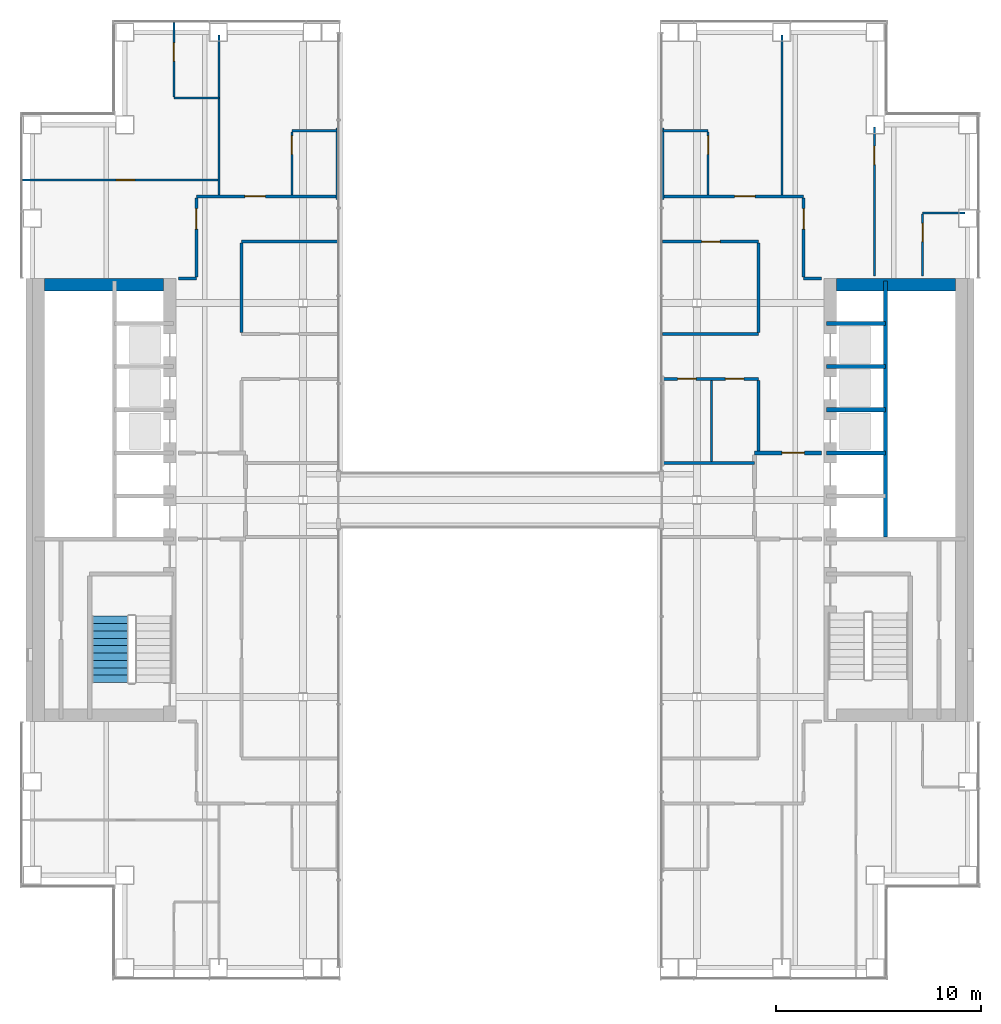
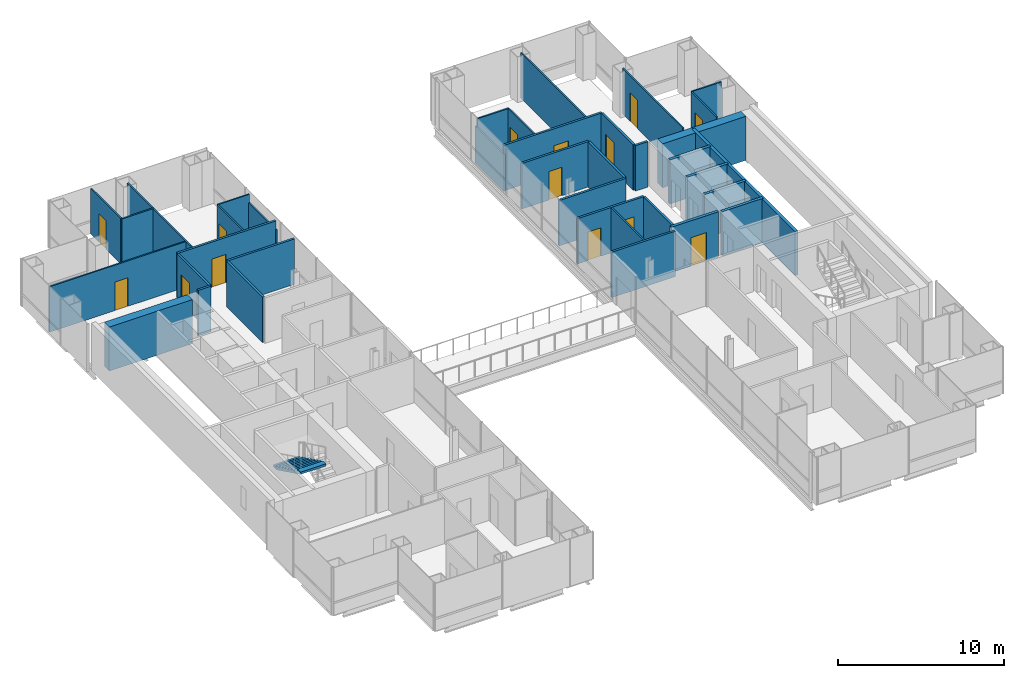
# One storey, part 13 of 16: 37 walls, 14 doors, 1 stair flight, 14 openings, 1 element without a shape of its own.
"""IFC4 building model written with IfcOpenShell, lengths in metres."""

from ifc_helpers import new_model, si_unit, direction, frame, frame_2d, origin, place, context, subcontext, project, spatial, polyline, rectangle, outline, extrude, material, layer, layer_set, type_object, element, fill, aggregate, save


model = new_model("IFC4")

# Units and contexts
model_context = context("Model", 3, precision=1e-05, world=origin(), true_north=direction((0.0, 1.0)))
body_context = subcontext(model_context, "Body", "Model", "MODEL_VIEW")
ifc_project = project(units=[si_unit("LENGTHUNIT", "METRE"), si_unit("AREAUNIT", "SQUARE_METRE"), si_unit("VOLUMEUNIT", "CUBIC_METRE"), si_unit("PLANEANGLEUNIT", "RADIAN"), si_unit("MASSUNIT", "GRAM", prefix="KILO")], contexts=[model_context])

# Site, building, storey
site_placement = place(None, origin())
site = spatial("IfcSite", under=ifc_project, at=site_placement, CompositionType="ELEMENT")
building_placement = place(site_placement, origin())
building = spatial("IfcBuilding", under=site, at=building_placement, Name="Cobrizo Arcos Hotel Tower", CompositionType="ELEMENT")
storey_placement = place(building_placement, frame((0.0, 0.0, 127.5)))
storey = spatial("IfcBuildingStorey", under=building, at=storey_placement, Name="L32", CompositionType="ELEMENT", Elevation=127.5)

# Wall
ifc_material_1 = material(Name="Gypsum board partition")
ifc_layer_1 = layer(ifc_material_1, 0.14990234375)
ifc_layer_set_1 = layer_set([ifc_layer_1], Name="Corridor wall EI 60 150")
wall_type_1 = type_object("IfcWallType", Name="Corridor wall EI 60 150", PredefinedType="PARTITIONING", material=ifc_layer_set_1)
wall_1_placement = place(storey_placement, frame((7.949951171875, 1.800048828125, 0.0), z_axis=(0.0, 0.0, 1.0), x_axis=(1.0, 0.0, 0.0)))
element("IfcWall", 1, at=wall_1_placement, inside=storey, type_object=wall_type_1, Name="Partition 023", PredefinedType="PARTITIONING", context=body_context, shape_type="SweptSolid", body=[
    extrude(rectangle(XDim=4.449951171875, YDim=0.14990234375, at=frame_2d((2.22509765625, 0.0))), origin(), (0.0, 0.0, 1.0), 3.35009765625),
])

# Wall, openings, doors
wall_2_placement = place(storey_placement, frame((7.949951171875, 5.89990234375, 0.0), z_axis=(0.0, 0.0, 1.0), x_axis=(1.0, 0.0, 0.0)))
wall_2 = element("IfcWall", 2, at=wall_2_placement, inside=storey, type_object=wall_type_1, Name="Partition 031", PredefinedType="PARTITIONING", context=body_context, shape_type="SweptSolid", body=[
    extrude(rectangle(XDim=4.650146484375, YDim=0.14990234375, at=frame_2d((2.3251953125, 0.0))), origin(), (0.0, 0.0, 1.0), 3.35009765625),
])
opening_1_placement = place(wall_2_placement, frame((0.712890625, 0.0, 0.0)))
opening_1 = element("IfcOpeningElement", 3, at=opening_1_placement, cuts=wall_2, Name="Opening ED-10", PredefinedType="OPENING", context=body_context, shape_type="SweptSolid", body=[
    extrude(rectangle(XDim=0.89990234375, YDim=2.10009765625, at=frame_2d((0.449951171875, 1.050048828125))), frame((0.0, 0.0869140625, 0.0), z_axis=(0.0, -1.0, 0.0), x_axis=(1.0, 0.0, 0.0)), (0.0, 0.0, 1.0), 0.173828125),
])
opening_2_placement = place(wall_2_placement, frame((3.037109375, 0.0, 0.0)))
opening_2 = element("IfcOpeningElement", 4, at=opening_2_placement, cuts=wall_2, Name="Opening ED-11", PredefinedType="OPENING", context=body_context, shape_type="SweptSolid", body=[
    extrude(rectangle(XDim=0.89990234375, YDim=2.10009765625, at=frame_2d((0.449951171875, 1.050048828125))), frame((0.0, 0.0869140625, 0.0), z_axis=(0.0, -1.0, 0.0), x_axis=(1.0, 0.0, 0.0)), (0.0, 0.0, 1.0), 0.173828125),
])
ifc_material_2 = material(Name="Timber door leaf", Category="wood")
door_type_1 = type_object("IfcDoorType", Name="En-suite door 900x2100", OperationType="SINGLE_SWING_LEFT", PredefinedType="DOOR", material=ifc_material_2)
door_1_placement = place(opening_1_placement, origin())
door_1 = element("IfcDoor", 5, at=door_1_placement, inside=storey, type_object=door_type_1, Name="Door ED-10", OperationType="SINGLE_SWING_LEFT", OverallHeight=2.10009765625, OverallWidth=0.89990234375, PredefinedType="DOOR", context=body_context, shape_type="SweptSolid", body=[
    extrude(rectangle(XDim=0.89990234375, YDim=2.10009765625, at=frame_2d((0.449951171875, 1.050048828125))), frame((0.0, 0.02490234375, 0.0), z_axis=(0.0, -1.0, 0.0), x_axis=(1.0, 0.0, 0.0)), (0.0, 0.0, 1.0), 0.050048828125),
])
fill(opening_1, door_1)
door_2_placement = place(opening_2_placement, origin())
door_2 = element("IfcDoor", 6, at=door_2_placement, inside=storey, type_object=door_type_1, Name="Door ED-11", OperationType="SINGLE_SWING_RIGHT", OverallHeight=2.10009765625, OverallWidth=0.89990234375, PredefinedType="DOOR", context=body_context, shape_type="SweptSolid", body=[
    extrude(rectangle(XDim=0.89990234375, YDim=2.10009765625, at=frame_2d((0.449951171875, 1.050048828125))), frame((0.0, 0.02490234375, 0.0), z_axis=(0.0, -1.0, 0.0), x_axis=(1.0, 0.0, 0.0)), (0.0, 0.0, 1.0), 0.050048828125),
])
fill(opening_2, door_2)

# Walls
wall_3_placement = place(storey_placement, frame((7.919921875, 8.10009765625, 0.0), z_axis=(0.0, 0.0, 1.0), x_axis=(1.0, 0.0, 0.0)))
element("IfcWall", 7, at=wall_3_placement, inside=storey, type_object=wall_type_1, Name="Partition 035", PredefinedType="PARTITIONING", context=body_context, shape_type="SweptSolid", body=[
    extrude(rectangle(XDim=4.68017578125, YDim=0.14990234375, at=frame_2d((2.340087890625, 0.0))), origin(), (0.0, 0.0, 1.0), 3.35009765625),
])
for number, where, z_axis, x_axis, name in (
    (8, (-15.679931640625, 10.800048828125, 0.0), (0.0, 0.0, 1.0), (1.0, 0.0, 0.0), "Partition 038"),
    (9, (14.800048828125, 10.800048828125, 0.0), (0.0, 0.0, 1.0), (1.0, 0.0, 0.0), "Partition 039"),
):
    element("IfcWall", number, at=place(storey_placement, frame(where, z_axis=z_axis, x_axis=x_axis)), inside=storey, type_object=wall_type_1, Name=name, PredefinedType="PARTITIONING", context=body_context, shape_type="SweptSolid", body=[
        extrude(rectangle(XDim=0.8798828125, YDim=0.14990234375, at=frame_2d((0.43994140625, 0.0))), origin(), (0.0, 0.0, 1.0), 3.35009765625),
    ])
wall_4_placement = place(storey_placement, frame((-12.60009765625, 12.60009765625, 0.0), z_axis=(0.0, 0.0, 1.0), x_axis=(1.0, 0.0, 0.0)))
element("IfcWall", 10, at=wall_4_placement, inside=storey, type_object=wall_type_1, Name="Partition 040", PredefinedType="PARTITIONING", context=body_context, shape_type="SweptSolid", body=[
    extrude(rectangle(XDim=4.68017578125, YDim=0.14990234375, at=frame_2d((2.340087890625, 0.0))), origin(), (0.0, 0.0, 1.0), 3.35009765625),
])

# Wall, opening, door
wall_5_placement = place(storey_placement, frame((7.919921875, 12.60009765625, 0.0), z_axis=(0.0, 0.0, 1.0), x_axis=(1.0, 0.0, 0.0)))
wall_5 = element("IfcWall", 11, at=wall_5_placement, inside=storey, type_object=wall_type_1, Name="Partition 041", PredefinedType="PARTITIONING", context=body_context, shape_type="SweptSolid", body=[
    extrude(rectangle(XDim=4.68017578125, YDim=0.14990234375, at=frame_2d((2.340087890625, 0.0))), origin(), (0.0, 0.0, 1.0), 3.35009765625),
])
opening_3_placement = place(wall_5_placement, frame((1.905029296875, 0.0, 0.0)))
opening_3 = element("IfcOpeningElement", 12, at=opening_3_placement, cuts=wall_5, Name="Opening RD-07", PredefinedType="OPENING", context=body_context, shape_type="SweptSolid", body=[
    extrude(rectangle(XDim=0.89990234375, YDim=2.10009765625, at=frame_2d((0.449951171875, 1.050048828125))), frame((0.0, 0.0869140625, 0.0), z_axis=(0.0, -1.0, 0.0), x_axis=(1.0, 0.0, 0.0)), (0.0, 0.0, 1.0), 0.173828125),
])
door_type_2 = type_object("IfcDoorType", Name="Room door FD30 900x2100", OperationType="SINGLE_SWING_LEFT", PredefinedType="DOOR", material=ifc_material_2)
door_3_placement = place(opening_3_placement, origin())
door_3 = element("IfcDoor", 13, at=door_3_placement, inside=storey, type_object=door_type_2, Name="Door RD-07", OperationType="SINGLE_SWING_RIGHT", OverallHeight=2.10009765625, OverallWidth=0.89990234375, PredefinedType="DOOR", context=body_context, shape_type="SweptSolid", body=[
    extrude(rectangle(XDim=0.89990234375, YDim=2.10009765625, at=frame_2d((0.449951171875, 1.050048828125))), frame((0.0, 0.02490234375, 0.0), z_axis=(0.0, -1.0, 0.0), x_axis=(1.0, 0.0, 0.0)), (0.0, 0.0, 1.0), 0.050048828125),
])
fill(opening_3, door_3)

wall_6_placement = place(storey_placement, frame((-14.800048828125, 14.800048828125, 0.0), z_axis=(0.0, 0.0, 1.0), x_axis=(1.0, 0.0, 0.0)))
wall_6 = element("IfcWall", 14, at=wall_6_placement, inside=storey, type_object=wall_type_1, Name="Partition 043", PredefinedType="PARTITIONING", context=body_context, shape_type="SweptSolid", body=[
    extrude(rectangle(XDim=6.85009765625, YDim=0.14990234375, at=frame_2d((3.425048828125, 0.0))), origin(), (0.0, 0.0, 1.0), 3.35009765625),
])
opening_4_placement = place(wall_6_placement, frame((2.363037109375, 0.0, 0.0)))
opening_4 = element("IfcOpeningElement", 15, at=opening_4_placement, cuts=wall_6, Name="Opening GD-02", PredefinedType="OPENING", context=body_context, shape_type="SweptSolid", body=[
    extrude(rectangle(XDim=1.0, YDim=2.10009765625, at=frame_2d((0.5, 1.050048828125))), frame((0.0, 0.0869140625, 0.0), z_axis=(0.0, -1.0, 0.0), x_axis=(1.0, 0.0, 0.0)), (0.0, 0.0, 1.0), 0.173828125),
])
door_type_3 = type_object("IfcDoorType", Name="Guest room door FD30S 1000x2100", OperationType="SINGLE_SWING_LEFT", PredefinedType="DOOR", material=ifc_material_2)
door_4_placement = place(opening_4_placement, origin())
door_4 = element("IfcDoor", 16, at=door_4_placement, inside=storey, type_object=door_type_3, Name="Door GD-02", OperationType="SINGLE_SWING_RIGHT", OverallHeight=2.10009765625, OverallWidth=1.0, PredefinedType="DOOR", context=body_context, shape_type="SweptSolid", body=[
    extrude(rectangle(XDim=1.0, YDim=2.10009765625, at=frame_2d((0.5, 1.050048828125))), frame((0.0, 0.02490234375, 0.0), z_axis=(0.0, -1.0, 0.0), x_axis=(1.0, 0.0, 0.0)), (0.0, 0.0, 1.0), 0.050048828125),
])
fill(opening_4, door_4)

wall_7_placement = place(storey_placement, frame((7.949951171875, 14.800048828125, 0.0), z_axis=(0.0, 0.0, 1.0), x_axis=(1.0, 0.0, 0.0)))
wall_7 = element("IfcWall", 17, at=wall_7_placement, inside=storey, type_object=wall_type_1, Name="Partition 044", PredefinedType="PARTITIONING", context=body_context, shape_type="SweptSolid", body=[
    extrude(rectangle(XDim=6.85009765625, YDim=0.14990234375, at=frame_2d((3.425048828125, 0.0))), origin(), (0.0, 0.0, 1.0), 3.35009765625),
])
opening_5_placement = place(wall_7_placement, frame((3.487060546875, 0.0, 0.0)))
opening_5 = element("IfcOpeningElement", 18, at=opening_5_placement, cuts=wall_7, Name="Opening GD-01", PredefinedType="OPENING", context=body_context, shape_type="SweptSolid", body=[
    extrude(rectangle(XDim=1.0, YDim=2.10009765625, at=frame_2d((0.5, 1.050048828125))), frame((0.0, 0.0869140625, 0.0), z_axis=(0.0, -1.0, 0.0), x_axis=(1.0, 0.0, 0.0)), (0.0, 0.0, 1.0), 0.173828125),
])
door_5_placement = place(opening_5_placement, origin())
door_5 = element("IfcDoor", 19, at=door_5_placement, inside=storey, type_object=door_type_3, Name="Door GD-01", OperationType="SINGLE_SWING_RIGHT", OverallHeight=2.10009765625, OverallWidth=1.0, PredefinedType="DOOR", context=body_context, shape_type="SweptSolid", body=[
    extrude(rectangle(XDim=1.0, YDim=2.10009765625, at=frame_2d((0.5, 1.050048828125))), frame((0.0, 0.02490234375, 0.0), z_axis=(0.0, -1.0, 0.0), x_axis=(1.0, 0.0, 0.0)), (0.0, 0.0, 1.0), 0.050048828125),
])
fill(opening_5, door_5)

wall_8_placement = place(storey_placement, frame((-14.800048828125, 10.875, 0.0), z_axis=(0.0, 0.0, 1.0), x_axis=(0.0, 1.0, 0.0)))
wall_8 = element("IfcWall", 20, at=wall_8_placement, inside=storey, type_object=wall_type_1, Name="Partition 055", PredefinedType="PARTITIONING", context=body_context, shape_type="SweptSolid", body=[
    extrude(rectangle(XDim=3.85009765625, YDim=0.14990234375, at=frame_2d((1.925048828125, 0.0))), origin(), (0.0, 0.0, 1.0), 3.35009765625),
])
opening_6_placement = place(wall_8_placement, frame((2.324951171875, 0.0, 0.0)))
opening_6 = element("IfcOpeningElement", 21, at=opening_6_placement, cuts=wall_8, Name="Opening GD-06", PredefinedType="OPENING", context=body_context, shape_type="SweptSolid", body=[
    extrude(rectangle(XDim=1.0, YDim=2.10009765625, at=frame_2d((0.5, 1.050048828125))), frame((0.0, 0.0869140625, 0.0), z_axis=(0.0, -1.0, 0.0), x_axis=(1.0, 0.0, 0.0)), (0.0, 0.0, 1.0), 0.173828125),
])
door_6_placement = place(opening_6_placement, origin())
door_6 = element("IfcDoor", 22, at=door_6_placement, inside=storey, type_object=door_type_3, Name="Door GD-06", OperationType="SINGLE_SWING_LEFT", OverallHeight=2.10009765625, OverallWidth=1.0, PredefinedType="DOOR", context=body_context, shape_type="SweptSolid", body=[
    extrude(rectangle(XDim=1.0, YDim=2.10009765625, at=frame_2d((0.5, 1.050048828125))), frame((0.0, 0.02490234375, 0.0), z_axis=(0.0, -1.0, 0.0), x_axis=(1.0, 0.0, 0.0)), (0.0, 0.0, 1.0), 0.050048828125),
])
fill(opening_6, door_6)

# Walls
wall_9_placement = place(storey_placement, frame((-12.60009765625, 8.175048828125, 0.0), z_axis=(0.0, 0.0, 1.0), x_axis=(0.0, 1.0, 0.0)))
element("IfcWall", 23, at=wall_9_placement, inside=storey, type_object=wall_type_1, Name="Partition 060", PredefinedType="PARTITIONING", context=body_context, shape_type="SweptSolid", body=[
    extrude(rectangle(XDim=4.349853515625, YDim=0.14990234375, at=frame_2d((2.1748046875, 0.0))), origin(), (0.0, 0.0, 1.0), 3.35009765625),
])
wall_10_placement = place(storey_placement, frame((12.60009765625, 2.39990234375, 0.0), z_axis=(0.0, 0.0, 1.0), x_axis=(0.0, 1.0, 0.0)))
element("IfcWall", 24, at=wall_10_placement, inside=storey, type_object=wall_type_1, Name="Partition 074", PredefinedType="PARTITIONING", context=body_context, shape_type="SweptSolid", body=[
    extrude(rectangle(XDim=3.425048828125, YDim=0.14990234375, at=frame_2d((1.71240234375, 0.0))), origin(), (0.0, 0.0, 1.0), 3.35009765625),
])
wall_11_placement = place(storey_placement, frame((12.60009765625, 8.175048828125, 0.0), z_axis=(0.0, 0.0, 1.0), x_axis=(0.0, 1.0, 0.0)))
element("IfcWall", 25, at=wall_11_placement, inside=storey, type_object=wall_type_1, Name="Partition 075", PredefinedType="PARTITIONING", context=body_context, shape_type="SweptSolid", body=[
    extrude(rectangle(XDim=4.349853515625, YDim=0.14990234375, at=frame_2d((2.1748046875, 0.0))), origin(), (0.0, 0.0, 1.0), 3.35009765625),
])

# Wall, opening, door
wall_12_placement = place(storey_placement, frame((14.800048828125, 10.875, 0.0), z_axis=(0.0, 0.0, 1.0), x_axis=(0.0, 1.0, 0.0)))
wall_12 = element("IfcWall", 26, at=wall_12_placement, inside=storey, type_object=wall_type_1, Name="Partition 079", PredefinedType="PARTITIONING", context=body_context, shape_type="SweptSolid", body=[
    extrude(rectangle(XDim=3.85009765625, YDim=0.14990234375, at=frame_2d((1.925048828125, 0.0))), origin(), (0.0, 0.0, 1.0), 3.35009765625),
])
opening_7_placement = place(wall_12_placement, frame((2.324951171875, 0.0, 0.0)))
opening_7 = element("IfcOpeningElement", 27, at=opening_7_placement, cuts=wall_12, Name="Opening GD-08", PredefinedType="OPENING", context=body_context, shape_type="SweptSolid", body=[
    extrude(rectangle(XDim=1.0, YDim=2.10009765625, at=frame_2d((0.5, 1.050048828125))), frame((0.0, 0.0869140625, 0.0), z_axis=(0.0, -1.0, 0.0), x_axis=(1.0, 0.0, 0.0)), (0.0, 0.0, 1.0), 0.173828125),
])
door_7_placement = place(opening_7_placement, origin())
door_7 = element("IfcDoor", 28, at=door_7_placement, inside=storey, type_object=door_type_3, Name="Door GD-08", OperationType="SINGLE_SWING_RIGHT", OverallHeight=2.10009765625, OverallWidth=1.0, PredefinedType="DOOR", context=body_context, shape_type="SweptSolid", body=[
    extrude(rectangle(XDim=1.0, YDim=2.10009765625, at=frame_2d((0.5, 1.050048828125))), frame((0.0, 0.02490234375, 0.0), z_axis=(0.0, -1.0, 0.0), x_axis=(1.0, 0.0, 0.0)), (0.0, 0.0, 1.0), 0.050048828125),
])
fill(opening_7, door_7)

# Wall
ifc_layer_2 = layer(ifc_material_1, 0.10009765625)
ifc_layer_set_2 = layer_set([ifc_layer_2], Name="Partition EI 30 100")
wall_type_2 = type_object("IfcWallType", Name="Partition EI 30 100", PredefinedType="PARTITIONING", material=ifc_layer_set_2)
wall_13_placement = place(storey_placement, frame((20.60009765625, 14.0, 0.0), z_axis=(0.0, 0.0, 1.0), x_axis=(1.0, 0.0, 0.0)))
element("IfcWall", 29, at=wall_13_placement, inside=storey, type_object=wall_type_2, Name="Partition 042", PredefinedType="PARTITIONING", context=body_context, shape_type="SweptSolid", body=[
    extrude(rectangle(XDim=2.079833984375, YDim=0.10009765625, at=frame_2d((1.0400390625, 0.0))), origin(), (0.0, 0.0, 1.0), 3.35009765625),
])

# Wall, opening, door
wall_14_placement = place(storey_placement, frame((-23.280029296875, 15.60009765625, 0.0), z_axis=(0.0, 0.0, 1.0), x_axis=(1.0, 0.0, 0.0)))
wall_14 = element("IfcWall", 30, at=wall_14_placement, inside=storey, type_object=wall_type_2, Name="Partition 045", PredefinedType="PARTITIONING", context=body_context, shape_type="SweptSolid", body=[
    extrude(rectangle(XDim=9.580078125, YDim=0.10009765625, at=frame_2d((4.7900390625, 0.0))), origin(), (0.0, 0.0, 1.0), 3.35009765625),
])
opening_8_placement = place(wall_14_placement, frame((4.568115234375, 0.0, 0.0)))
opening_8 = element("IfcOpeningElement", 31, at=opening_8_placement, cuts=wall_14, Name="Opening RD-03", PredefinedType="OPENING", context=body_context, shape_type="SweptSolid", body=[
    extrude(rectangle(XDim=0.89990234375, YDim=2.10009765625, at=frame_2d((0.449951171875, 1.050048828125))), frame((0.0, 0.06201171875, 0.0), z_axis=(0.0, -1.0, 0.0), x_axis=(1.0, 0.0, 0.0)), (0.0, 0.0, 1.0), 0.1240234375),
])
door_8_placement = place(opening_8_placement, origin())
door_8 = element("IfcDoor", 32, at=door_8_placement, inside=storey, type_object=door_type_2, Name="Door RD-03", OperationType="SINGLE_SWING_RIGHT", OverallHeight=2.10009765625, OverallWidth=0.89990234375, PredefinedType="DOOR", context=body_context, shape_type="SweptSolid", body=[
    extrude(rectangle(XDim=0.89990234375, YDim=2.10009765625, at=frame_2d((0.449951171875, 1.050048828125))), frame((0.0, 0.02490234375, 0.0), z_axis=(0.0, -1.0, 0.0), x_axis=(1.0, 0.0, 0.0)), (0.0, 0.0, 1.0), 0.050048828125),
])
fill(opening_8, door_8)

# Walls
for number, where, z_axis, x_axis, name in (
    (33, (-10.14990234375, 18.0, 0.0), (0.0, 0.0, 1.0), (1.0, 0.0, 0.0), "Partition 046"),
    (34, (7.949951171875, 18.0, 0.0), (0.0, 0.0, 1.0), (1.0, 0.0, 0.0), "Partition 047"),
    (35, (-15.89990234375, 19.60009765625, 0.0), (0.0, 0.0, 1.0), (1.0, 0.0, 0.0), "Partition 048"),
):
    element("IfcWall", number, at=place(storey_placement, frame(where, z_axis=z_axis, x_axis=x_axis)), inside=storey, type_object=wall_type_2, Name=name, PredefinedType="PARTITIONING", context=body_context, shape_type="SweptSolid", body=[
        extrude(rectangle(XDim=2.199951171875, YDim=0.10009765625, at=frame_2d((1.10009765625, 0.0))), origin(), (0.0, 0.0, 1.0), 3.35009765625),
    ])

# Wall, opening, door
wall_15_placement = place(storey_placement, frame((-15.89990234375, 19.64990234375, 0.0), z_axis=(0.0, 0.0, 1.0), x_axis=(0.0, 1.0, 0.0)))
wall_15 = element("IfcWall", 36, at=wall_15_placement, inside=storey, type_object=wall_type_2, Name="Partition 053", PredefinedType="PARTITIONING", context=body_context, shape_type="SweptSolid", body=[
    extrude(rectangle(XDim=3.630126953125, YDim=0.10009765625, at=frame_2d((1.81494140625, 0.0))), origin(), (0.0, 0.0, 1.0), 3.35009765625),
])
opening_9_placement = place(wall_15_placement, frame((1.739990234375, 0.0, 0.0)))
opening_9 = element("IfcOpeningElement", 37, at=opening_9_placement, cuts=wall_15, Name="Opening ED-07", PredefinedType="OPENING", context=body_context, shape_type="SweptSolid", body=[
    extrude(rectangle(XDim=0.89990234375, YDim=2.10009765625, at=frame_2d((0.449951171875, 1.050048828125))), frame((0.0, 0.06201171875, 0.0), z_axis=(0.0, -1.0, 0.0), x_axis=(1.0, 0.0, 0.0)), (0.0, 0.0, 1.0), 0.1240234375),
])
door_9_placement = place(opening_9_placement, origin())
door_9 = element("IfcDoor", 38, at=door_9_placement, inside=storey, type_object=door_type_1, Name="Door ED-07", OperationType="SINGLE_SWING_RIGHT", OverallHeight=2.10009765625, OverallWidth=0.89990234375, PredefinedType="DOOR", context=body_context, shape_type="SweptSolid", body=[
    extrude(rectangle(XDim=0.89990234375, YDim=2.10009765625, at=frame_2d((0.449951171875, 1.050048828125))), frame((0.0, 0.02490234375, 0.0), z_axis=(0.0, -1.0, 0.0), x_axis=(1.0, 0.0, 0.0)), (0.0, 0.0, 1.0), 0.050048828125),
])
fill(opening_9, door_9)

# Wall
wall_16_placement = place(storey_placement, frame((-13.699951171875, 14.875, 0.0), z_axis=(0.0, 0.0, 1.0), x_axis=(0.0, 1.0, 0.0)))
element("IfcWall", 39, at=wall_16_placement, inside=storey, type_object=wall_type_2, Name="Partition 057", PredefinedType="PARTITIONING", context=body_context, shape_type="SweptSolid", body=[
    extrude(rectangle(XDim=7.804931640625, YDim=0.10009765625, at=frame_2d((3.90234375, 0.0))), origin(), (0.0, 0.0, 1.0), 3.35009765625),
])

# Wall, opening, door
wall_17_placement = place(storey_placement, frame((-10.14990234375, 14.875, 0.0), z_axis=(0.0, 0.0, 1.0), x_axis=(0.0, 1.0, 0.0)))
wall_17 = element("IfcWall", 40, at=wall_17_placement, inside=storey, type_object=wall_type_2, Name="Partition 063", PredefinedType="PARTITIONING", context=body_context, shape_type="SweptSolid", body=[
    extrude(rectangle(XDim=3.074951171875, YDim=0.10009765625, at=frame_2d((1.53759765625, 0.0))), origin(), (0.0, 0.0, 1.0), 3.35009765625),
])
opening_10_placement = place(wall_17_placement, frame((1.970947265625, 0.0, 0.0)))
opening_10 = element("IfcOpeningElement", 41, at=opening_10_placement, cuts=wall_17, Name="Opening ED-03", PredefinedType="OPENING", context=body_context, shape_type="SweptSolid", body=[
    extrude(rectangle(XDim=0.89990234375, YDim=2.10009765625, at=frame_2d((0.449951171875, 1.050048828125))), frame((0.0, 0.06201171875, 0.0), z_axis=(0.0, -1.0, 0.0), x_axis=(1.0, 0.0, 0.0)), (0.0, 0.0, 1.0), 0.1240234375),
])
door_10_placement = place(opening_10_placement, origin())
door_10 = element("IfcDoor", 42, at=door_10_placement, inside=storey, type_object=door_type_1, Name="Door ED-03", OperationType="SINGLE_SWING_LEFT", OverallHeight=2.10009765625, OverallWidth=0.89990234375, PredefinedType="DOOR", context=body_context, shape_type="SweptSolid", body=[
    extrude(rectangle(XDim=0.89990234375, YDim=2.10009765625, at=frame_2d((0.449951171875, 1.050048828125))), frame((0.0, 0.02490234375, 0.0), z_axis=(0.0, -1.0, 0.0), x_axis=(1.0, 0.0, 0.0)), (0.0, 0.0, 1.0), 0.050048828125),
])
fill(opening_10, door_10)

# Walls
for number, where, z_axis, x_axis, name in (
    (43, (-7.949951171875, 14.659912109375, 0.0), (0.0, 0.0, 1.0), (0.0, 1.0, 0.0), "Partition 065"),
    (44, (7.949951171875, 14.659912109375, 0.0), (0.0, 0.0, 1.0), (0.0, 1.0, 0.0), "Partition 068"),
):
    element("IfcWall", number, at=place(storey_placement, frame(where, z_axis=z_axis, x_axis=x_axis)), inside=storey, type_object=wall_type_2, Name=name, PredefinedType="PARTITIONING", context=body_context, shape_type="SweptSolid", body=[
        extrude(rectangle(XDim=3.47998046875, YDim=0.10009765625, at=frame_2d((1.739990234375, 0.0))), origin(), (0.0, 0.0, 1.0), 2.73291015625),
    ])

# Wall, opening, door
wall_18_placement = place(storey_placement, frame((10.14990234375, 14.875, 0.0), z_axis=(0.0, 0.0, 1.0), x_axis=(0.0, 1.0, 0.0)))
wall_18 = element("IfcWall", 45, at=wall_18_placement, inside=storey, type_object=wall_type_2, Name="Partition 070", PredefinedType="PARTITIONING", context=body_context, shape_type="SweptSolid", body=[
    extrude(rectangle(XDim=3.074951171875, YDim=0.10009765625, at=frame_2d((1.53759765625, 0.0))), origin(), (0.0, 0.0, 1.0), 3.35009765625),
])
opening_11_placement = place(wall_18_placement, frame((1.970947265625, 0.0, 0.0)))
opening_11 = element("IfcOpeningElement", 46, at=opening_11_placement, cuts=wall_18, Name="Opening ED-02", PredefinedType="OPENING", context=body_context, shape_type="SweptSolid", body=[
    extrude(rectangle(XDim=0.89990234375, YDim=2.10009765625, at=frame_2d((0.449951171875, 1.050048828125))), frame((0.0, 0.06201171875, 0.0), z_axis=(0.0, -1.0, 0.0), x_axis=(1.0, 0.0, 0.0)), (0.0, 0.0, 1.0), 0.1240234375),
])
door_11_placement = place(opening_11_placement, origin())
door_11 = element("IfcDoor", 47, at=door_11_placement, inside=storey, type_object=door_type_1, Name="Door ED-02", OperationType="SINGLE_SWING_RIGHT", OverallHeight=2.10009765625, OverallWidth=0.89990234375, PredefinedType="DOOR", context=body_context, shape_type="SweptSolid", body=[
    extrude(rectangle(XDim=0.89990234375, YDim=2.10009765625, at=frame_2d((0.449951171875, 1.050048828125))), frame((0.0, 0.02490234375, 0.0), z_axis=(0.0, -1.0, 0.0), x_axis=(1.0, 0.0, 0.0)), (0.0, 0.0, 1.0), 0.050048828125),
])
fill(opening_11, door_11)

# Walls
wall_19_placement = place(storey_placement, frame((10.300048828125, 1.875, 0.0), z_axis=(0.0, 0.0, 1.0), x_axis=(0.0, 1.0, 0.0)))
element("IfcWall", 48, at=wall_19_placement, inside=storey, type_object=wall_type_2, Name="Partition 071", PredefinedType="PARTITIONING", context=body_context, shape_type="SweptSolid", body=[
    extrude(rectangle(XDim=3.949951171875, YDim=0.10009765625, at=frame_2d((1.97509765625, 0.0))), origin(), (0.0, 0.0, 1.0), 3.35009765625),
])
wall_20_placement = place(storey_placement, frame((13.75, 14.875, 0.0), z_axis=(0.0, 0.0, 1.0), x_axis=(0.0, 1.0, 0.0)))
element("IfcWall", 49, at=wall_20_placement, inside=storey, type_object=wall_type_2, Name="Partition 077", PredefinedType="PARTITIONING", context=body_context, shape_type="SweptSolid", body=[
    extrude(rectangle(XDim=7.804931640625, YDim=0.10009765625, at=frame_2d((3.90234375, 0.0))), origin(), (0.0, 0.0, 1.0), 3.35009765625),
])

# Wall, opening, door
wall_21_placement = place(storey_placement, frame((18.25, 10.919921875, 0.0), z_axis=(0.0, 0.0, 1.0), x_axis=(0.0, 1.0, 0.0)))
wall_21 = element("IfcWall", 50, at=wall_21_placement, inside=storey, type_object=wall_type_2, Name="Partition 081", PredefinedType="PARTITIONING", context=body_context, shape_type="SweptSolid", body=[
    extrude(rectangle(XDim=7.27099609375, YDim=0.10009765625, at=frame_2d((3.635498046875, 0.0))), origin(), (0.0, 0.0, 1.0), 3.35009765625),
])
opening_12_placement = place(wall_21_placement, frame((5.429931640625, 0.0, 0.0)))
opening_12 = element("IfcOpeningElement", 51, at=opening_12_placement, cuts=wall_21, Name="Opening RD-05", PredefinedType="OPENING", context=body_context, shape_type="SweptSolid", body=[
    extrude(rectangle(XDim=0.89990234375, YDim=2.10009765625, at=frame_2d((0.449951171875, 1.050048828125))), frame((0.0, 0.06201171875, 0.0), z_axis=(0.0, -1.0, 0.0), x_axis=(1.0, 0.0, 0.0)), (0.0, 0.0, 1.0), 0.1240234375),
])
door_12_placement = place(opening_12_placement, origin())
door_12 = element("IfcDoor", 52, at=door_12_placement, inside=storey, type_object=door_type_2, Name="Door RD-05", OperationType="SINGLE_SWING_LEFT", OverallHeight=2.10009765625, OverallWidth=0.89990234375, PredefinedType="DOOR", context=body_context, shape_type="SweptSolid", body=[
    extrude(rectangle(XDim=0.89990234375, YDim=2.10009765625, at=frame_2d((0.449951171875, 1.050048828125))), frame((0.0, 0.02490234375, 0.0), z_axis=(0.0, -1.0, 0.0), x_axis=(1.0, 0.0, 0.0)), (0.0, 0.0, 1.0), 0.050048828125),
])
fill(opening_12, door_12)

wall_22_placement = place(storey_placement, frame((20.60009765625, 10.919921875, 0.0), z_axis=(0.0, 0.0, 1.0), x_axis=(0.0, 1.0, 0.0)))
wall_22 = element("IfcWall", 53, at=wall_22_placement, inside=storey, type_object=wall_type_2, Name="Partition 085", PredefinedType="PARTITIONING", context=body_context, shape_type="SweptSolid", body=[
    extrude(rectangle(XDim=3.030029296875, YDim=0.10009765625, at=frame_2d((1.51513671875, 0.0))), origin(), (0.0, 0.0, 1.0), 3.35009765625),
])
opening_13_placement = place(wall_22_placement, frame((1.669921875, 0.0, 0.0)))
opening_13 = element("IfcOpeningElement", 54, at=opening_13_placement, cuts=wall_22, Name="Opening ED-09", PredefinedType="OPENING", context=body_context, shape_type="SweptSolid", body=[
    extrude(rectangle(XDim=0.89990234375, YDim=2.10009765625, at=frame_2d((0.449951171875, 1.050048828125))), frame((0.0, 0.06201171875, 0.0), z_axis=(0.0, -1.0, 0.0), x_axis=(1.0, 0.0, 0.0)), (0.0, 0.0, 1.0), 0.1240234375),
])
door_13_placement = place(opening_13_placement, origin())
door_13 = element("IfcDoor", 55, at=door_13_placement, inside=storey, type_object=door_type_1, Name="Door ED-09", OperationType="SINGLE_SWING_LEFT", OverallHeight=2.10009765625, OverallWidth=0.89990234375, PredefinedType="DOOR", context=body_context, shape_type="SweptSolid", body=[
    extrude(rectangle(XDim=0.89990234375, YDim=2.10009765625, at=frame_2d((0.449951171875, 1.050048828125))), frame((0.0, 0.02490234375, 0.0), z_axis=(0.0, -1.0, 0.0), x_axis=(1.0, 0.0, 0.0)), (0.0, 0.0, 1.0), 0.050048828125),
])
fill(opening_13, door_13)

# Walls
ifc_material_3 = material(Name="Concrete f'c 50 MPa", Category="concrete")
ifc_layer_3 = layer(ifc_material_3, 0.60009765625)
ifc_layer_set_3 = layer_set([ifc_layer_3], Name="RC core wall 600 f'c 50")
wall_type_3 = type_object("IfcWallType", Name="RC core wall 600 f'c 50", PredefinedType="SHEAR", material=ifc_layer_set_3)
for number, where, z_axis, x_axis, name in (
    (56, (16.39990234375, 10.5, 0.0), (0.0, 0.0, 1.0), (1.0, 0.0, 0.0), "Core wall CW2, east core, north end, L32"),
    (57, (-22.199951171875, 10.5, 0.0), (0.0, 0.0, 1.0), (1.0, 0.0, 0.0), "Core wall CW2, west core, north end, L32"),
):
    element("IfcWall", number, at=place(storey_placement, frame(where, z_axis=z_axis, x_axis=x_axis)), inside=storey, type_object=wall_type_3, Name=name, PredefinedType="SHEAR", context=body_context, shape_type="SweptSolid", body=[
        extrude(rectangle(XDim=5.800048828125, YDim=0.60009765625, at=frame_2d((2.89990234375, 0.0))), origin(), (0.0, 0.0, 1.0), 3.25),
    ])

# Wall, opening, door
ifc_layer_4 = layer(ifc_material_1, 0.199951171875)
ifc_layer_set_4 = layer_set([ifc_layer_4], Name="Shaft wall EI 120 200")
wall_type_4 = type_object("IfcWallType", Name="Shaft wall EI 120 200", PredefinedType="PARTITIONING", material=ifc_layer_set_4)
wall_23_placement = place(storey_placement, frame((12.39990234375, 2.300048828125, 0.0), z_axis=(0.0, 0.0, 1.0), x_axis=(1.0, 0.0, 0.0)))
wall_23 = element("IfcWall", 58, at=wall_23_placement, inside=storey, type_object=wall_type_4, Name="Partition 026", PredefinedType="PARTITIONING", context=body_context, shape_type="SweptSolid", body=[
    extrude(rectangle(XDim=3.280029296875, YDim=0.199951171875, at=frame_2d((1.64013671875, 0.0))), origin(), (0.0, 0.0, 1.0), 3.35009765625),
])
opening_14_placement = place(wall_23_placement, frame((1.340087890625, 0.0, 0.0)))
opening_14 = element("IfcOpeningElement", 59, at=opening_14_placement, cuts=wall_23, Name="Opening FD-08", PredefinedType="OPENING", context=body_context, shape_type="SweptSolid", body=[
    extrude(rectangle(XDim=1.10009765625, YDim=2.10009765625, at=frame_2d((0.550048828125, 1.050048828125))), frame((0.0, 0.112060546875, 0.0), z_axis=(0.0, -1.0, 0.0), x_axis=(1.0, 0.0, 0.0)), (0.0, 0.0, 1.0), 0.223876953125),
])
ifc_material_4 = material(Name="Steel door leaf", Category="steel")
door_type_4 = type_object("IfcDoorType", Name="Fire door FD60 1100x2100", OperationType="SINGLE_SWING_LEFT", PredefinedType="DOOR", material=ifc_material_4)
door_14_placement = place(opening_14_placement, origin())
door_14 = element("IfcDoor", 60, at=door_14_placement, inside=storey, type_object=door_type_4, Name="Door FD-08", OperationType="SINGLE_SWING_LEFT", OverallHeight=2.10009765625, OverallWidth=1.10009765625, PredefinedType="DOOR", context=body_context, shape_type="SweptSolid", body=[
    extrude(rectangle(XDim=1.10009765625, YDim=2.10009765625, at=frame_2d((0.550048828125, 1.050048828125))), frame((0.0, 0.02490234375, 0.0), z_axis=(0.0, -1.0, 0.0), x_axis=(1.0, 0.0, 0.0)), (0.0, 0.0, 1.0), 0.050048828125),
])
fill(opening_14, door_14)

# Walls
for number, where, z_axis, x_axis, name in (
    (61, (15.919921875, 2.300048828125, 0.0), (0.0, 0.0, 1.0), (1.0, 0.0, 0.0), "Partition 027"),
    (62, (15.919921875, 4.39990234375, 0.0), (0.0, 0.0, 1.0), (1.0, 0.0, 0.0), "Partition 029"),
    (63, (15.919921875, 6.5, 0.0), (0.0, 0.0, 1.0), (1.0, 0.0, 0.0), "Partition 033"),
    (64, (15.919921875, 8.60009765625, 0.0), (0.0, 0.0, 1.0), (1.0, 0.0, 0.0), "Partition 037"),
):
    element("IfcWall", number, at=place(storey_placement, frame(where, z_axis=z_axis, x_axis=x_axis)), inside=storey, type_object=wall_type_4, Name=name, PredefinedType="PARTITIONING", context=body_context, shape_type="SweptSolid", body=[
        extrude(rectangle(XDim=2.880126953125, YDim=0.199951171875, at=frame_2d((1.43994140625, 0.0))), origin(), (0.0, 0.0, 1.0), 3.25),
    ])
wall_24_placement = place(storey_placement, frame((18.800048828125, -1.800048828125, 0.0), z_axis=(0.0, 0.0, 1.0), x_axis=(0.0, 1.0, 0.0)))
element("IfcWall", 65, at=wall_24_placement, inside=storey, type_object=wall_type_4, Name="Partition 082", PredefinedType="PARTITIONING", context=body_context, shape_type="SweptSolid", body=[
    extrude(rectangle(XDim=12.47998046875, YDim=0.199951171875, at=frame_2d((6.239990234375, 0.0))), origin(), (0.0, 0.0, 1.0), 3.25),
])

# Stair, stair flight
ifc_material_5 = material(Name="Concrete f'c 40 MPa", Category="concrete")
stair_type = type_object("IfcStairType", Name="Exit stair", PredefinedType="HALF_TURN_STAIR", material=ifc_material_5)
stair_placement = place(storey_placement, origin())
stair = element("IfcStair", 66, at=stair_placement, inside=storey, type_object=stair_type, Name="L32 Exit stair ST-W", PredefinedType="HALF_TURN_STAIR")
stair_flight_type = type_object("IfcStairFlightType", Name="Exit stair flight", PredefinedType="STRAIGHT", material=ifc_material_5)
stair_flight_placement = place(storey_placement, frame((-19.0, -5.659912109375, 1.75), z_axis=(0.0, 0.0, 1.0), x_axis=(0.0, -1.0, 0.0)))
stair_flight = element("IfcStairFlight", 67, at=stair_flight_placement, type_object=stair_flight_type, Name="ST-W flight 2", NumberOfRisers=10, NumberOfTreads=9, PredefinedType="STRAIGHT", RiserHeight=0.175, TreadLength=0.36, context=body_context, shape_type="SweptSolid", body=[
    extrude(outline(polyline([(0.0, 0.0), (0.0, 0.175048828125), (0.360107421875, 0.175048828125), (0.360107421875, 0.35009765625), (0.719970703125, 0.35009765625), (0.719970703125, 0.52490234375), (1.080078125, 0.52490234375), (1.080078125, 0.699951171875), (1.43994140625, 0.699951171875), (1.43994140625, 0.875), (1.800048828125, 0.875), (1.800048828125, 1.050048828125), (2.159912109375, 1.050048828125), (2.159912109375, 1.22509765625), (2.52001953125, 1.22509765625), (2.52001953125, 1.39990234375), (2.8798828125, 1.39990234375), (2.8798828125, 1.574951171875), (3.239990234375, 1.574951171875), (3.239990234375, 1.75), (3.239990234375, 1.408203125), (0.3427734375, 0.0), (0.0, 0.0)])), frame((0.0, 0.89990234375, 0.0), z_axis=(0.0, -1.0, 0.0), x_axis=(1.0, 0.0, 0.0)), (0.0, 0.0, 1.0), 1.800048828125),
])
aggregate(stair, [stair_flight])

save(model, "model.ifc")
